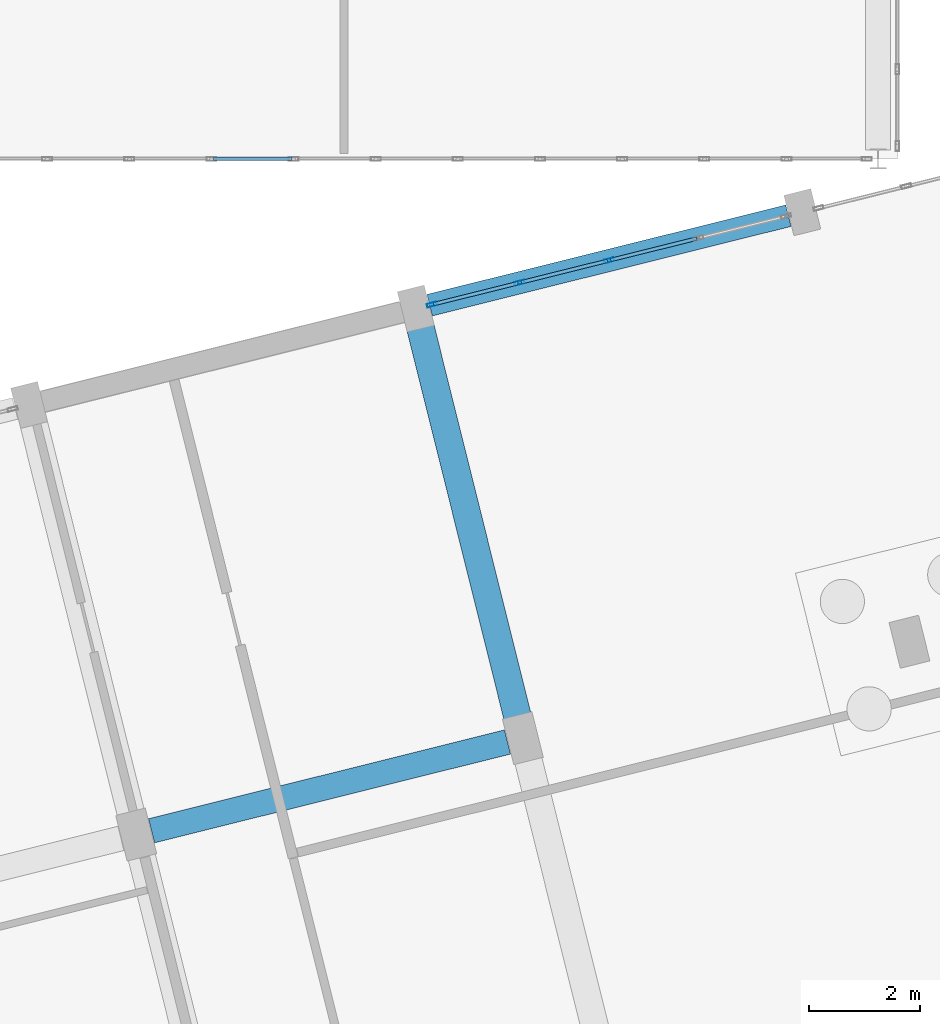
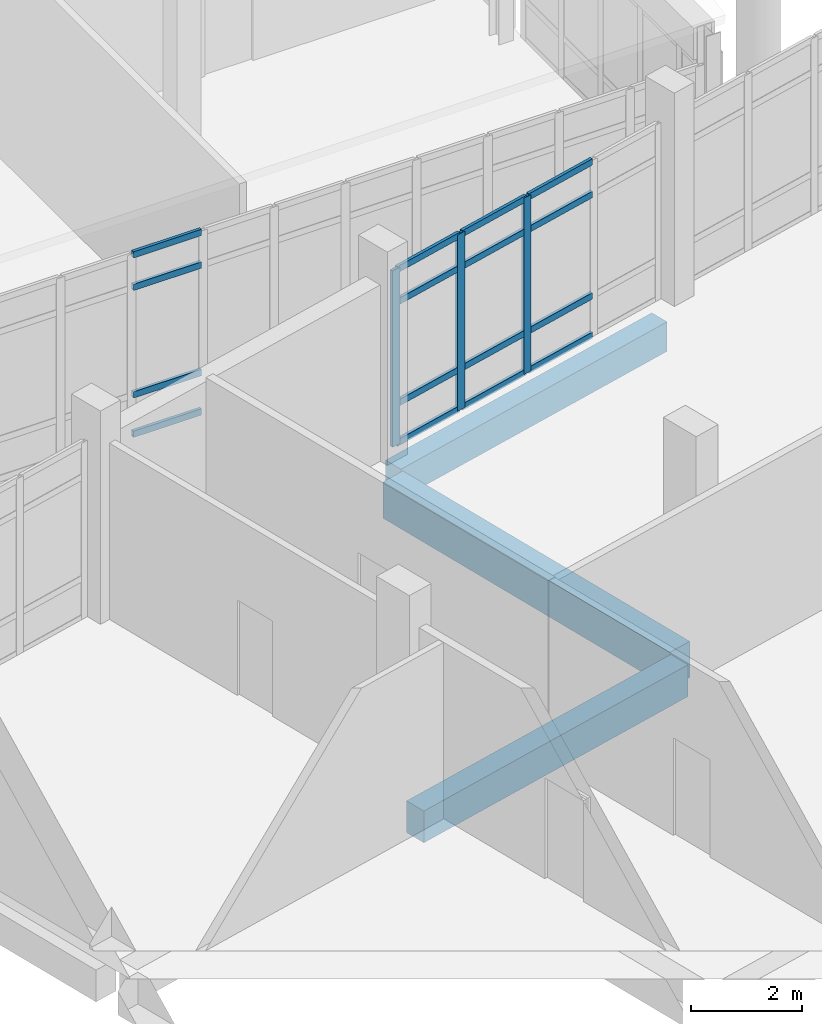
# One storey, part 98 of 173: 19 members, 3 beams, 2 elements without a shape of their own.
"""IFC4 building model written with IfcOpenShell, lengths in metres."""

from ifc_helpers import new_model, si_unit, direction, frame, origin, origin_2d, place, context, subcontext, project, spatial, rectangle, hollow_rectangle, extrude, material, layer, layer_set, material_profile, profile_set, type_object, element, aggregate, save


model = new_model("IFC4")

# Units and contexts
model_context = context("Model", 3, precision=1e-05, world=origin(), true_north=direction((0.0, 1.0)))
body_context = subcontext(model_context, "Body", "Model", "MODEL_VIEW")
ifc_project = project(units=[si_unit("LENGTHUNIT", "METRE"), si_unit("AREAUNIT", "SQUARE_METRE"), si_unit("VOLUMEUNIT", "CUBIC_METRE"), si_unit("PLANEANGLEUNIT", "RADIAN"), si_unit("MASSUNIT", "GRAM", prefix="KILO")], contexts=[model_context])

# Site, building, storey
site_placement = place(None, origin())
site = spatial("IfcSite", under=ifc_project, at=site_placement, CompositionType="ELEMENT")
building_placement = place(site_placement, origin())
building = spatial("IfcBuilding", under=site, at=building_placement, Name="Mawjan Specialist Oncology Clinic", CompositionType="ELEMENT")
storey_placement = place(building_placement, origin())
storey = spatial("IfcBuildingStorey", under=building, at=storey_placement, Name="L00", CompositionType="ELEMENT", Elevation=0.0)

# Beams
ifc_material_1 = material(Name="Concrete C40/50", Category="concrete")
ifc_material_profile_1 = material_profile(ifc_material_1, rectangle(XDim=0.449951171875, YDim=0.699951171875, at=origin_2d()), Name="RC BM 450x700", Category="concrete")
ifc_profile_set_1 = profile_set([ifc_material_profile_1], Name="Concrete C40/50")
beam_type_1 = type_object("IfcBeamType", Name="BM-450x700", PredefinedType="BEAM", material=ifc_profile_set_1)
beam_1_placement = place(storey_placement, frame((125.521240234375, 33.66015625, -0.77001953125), z_axis=(0.970293935913, 0.241929076241, 0.0), x_axis=(-0.241929076241, 0.970293935913, 0.0)))
element("IfcBeam", 1, at=beam_1_placement, inside=storey, type_object=beam_type_1, Name="L00 Collector Beam BM-L00-0212", PredefinedType="BEAM", context=body_context, shape_type="SweptSolid", body=[
    extrude(rectangle(XDim=0.449951171875, YDim=0.699951171875, at=origin_2d()), origin(), (0.0, 0.0, 1.0), 6.630126953125),
])
ifc_material_2 = material(Name="Concrete C45/55", Category="concrete")
ifc_material_profile_2 = material_profile(ifc_material_2, rectangle(XDim=0.5, YDim=0.800048828125, at=origin_2d()), Name="RC BM 500x800", Category="concrete")
ifc_profile_set_2 = profile_set([ifc_material_profile_2], Name="Concrete C45/55")
beam_type_2 = type_object("IfcBeamType", Name="BM-500x800", PredefinedType="BEAM", material=ifc_profile_set_2)
beam_2_placement = place(storey_placement, frame((132.161865234375, 35.609619140625, -0.820068359375), z_axis=(-0.241911431445, 0.970298335223, 0.0), x_axis=(-0.970298335223, -0.241911431445, 0.0)))
element("IfcBeam", 2, at=beam_2_placement, inside=storey, type_object=beam_type_2, Name="L00 Collector Beam BM-L00-0224", PredefinedType="BEAM", context=body_context, shape_type="SweptSolid", body=[
    extrude(rectangle(XDim=0.5, YDim=0.800048828125, at=origin_2d()), origin(), (0.0, 0.0, 1.0), 7.455078125),
])

# Curtain wall, members
ifc_material_3 = material(Name="Unitised spectrally selective aluminium curtain wall", Category="aluminium")
ifc_layer_1 = layer(ifc_material_3, 0.179931640625, Name="Unitised spectrally selective aluminium curtain wall", Category="aluminium")
ifc_layer_set_1 = layer_set([ifc_layer_1], Name="Unitised spectrally selective aluminium curtain wall")
curtain_wall_type_1 = type_object("IfcCurtainWallType", Name="CW-40", PredefinedType="NOTDEFINED", material=ifc_layer_set_1)
curtain_wall_1_placement = place(storey_placement, origin())
curtain_wall_1 = element("IfcCurtainWall", 3, at=curtain_wall_1_placement, inside=storey, type_object=curtain_wall_type_1, Name="L00 Unitised Curtain Wall CW-L00-082", PredefinedType="NOTDEFINED")
ifc_material_4 = material(Name="Thermally broken aluminium 6063-T6", Category="aluminium")
ifc_material_profile_3 = material_profile(ifc_material_4, hollow_rectangle(XDim=0.06494140625, YDim=0.179931640625, WallThickness=0.00390625, at=origin_2d()), Name="ALU MULLION 180x65x4", Category="aluminium")
ifc_profile_set_3 = profile_set([ifc_material_profile_3], Name="Thermally broken aluminium 6063-T6")
member_type_1 = type_object("IfcMemberType", Name="CW-M180", PredefinedType="MULLION", material=ifc_profile_set_3)
member_1_placement = place(storey_placement, frame((130.5888671875, 43.168701171875, 0.0), z_axis=(0.0, 0.0, 1.0), x_axis=(-0.241922045422, 0.970295688921, 0.0)))
member_1 = element("IfcMember", 4, at=member_1_placement, type_object=member_type_1, Name="CW-40 mullion 1", PredefinedType="MULLION", context=body_context, shape_type="SweptSolid", body=[
    extrude(hollow_rectangle(XDim=0.06494140625, YDim=0.179931640625, WallThickness=0.00390625, at=origin_2d()), origin(), (0.0, 0.0, 1.0), 3.885009765625),
])
member_2_placement = place(storey_placement, frame((132.1728515625, 43.563720703125, 0.0), z_axis=(0.0, 0.0, 1.0), x_axis=(-0.241922045422, 0.970295688921, 0.0)))
member_2 = element("IfcMember", 5, at=member_2_placement, type_object=member_type_1, Name="CW-40 mullion 2", PredefinedType="MULLION", context=body_context, shape_type="SweptSolid", body=[
    extrude(hollow_rectangle(XDim=0.06494140625, YDim=0.179931640625, WallThickness=0.00390625, at=origin_2d()), origin(), (0.0, 0.0, 1.0), 3.885009765625),
])
member_3_placement = place(storey_placement, frame((133.788330078125, 43.96630859375, 0.0), z_axis=(0.0, 0.0, 1.0), x_axis=(-0.241922045422, 0.970295688921, 0.0)))
member_3 = element("IfcMember", 6, at=member_3_placement, type_object=member_type_1, Name="CW-40 mullion 3", PredefinedType="MULLION", context=body_context, shape_type="SweptSolid", body=[
    extrude(hollow_rectangle(XDim=0.06494140625, YDim=0.179931640625, WallThickness=0.00390625, at=origin_2d()), origin(), (0.0, 0.0, 1.0), 3.885009765625),
])

ifc_material_5 = material(Name="Unitised spectrally selective aluminium curtain wall", Category="aluminium")
ifc_layer_2 = layer(ifc_material_5, 0.179931640625, Name="Unitised spectrally selective aluminium curtain wall", Category="aluminium")
ifc_layer_set_2 = layer_set([ifc_layer_2], Name="Unitised spectrally selective aluminium curtain wall")
curtain_wall_type_2 = type_object("IfcCurtainWallType", Name="CW-20", PredefinedType="NOTDEFINED", material=ifc_layer_set_2)
curtain_wall_2_placement = place(storey_placement, origin())
curtain_wall_2 = element("IfcCurtainWall", 7, at=curtain_wall_2_placement, inside=storey, type_object=curtain_wall_type_2, Name="L00 Unitised Curtain Wall CW-L00-036", PredefinedType="NOTDEFINED")
ifc_material_6 = material(Name="Thermally broken aluminium 6063-T6", Category="aluminium")
ifc_material_profile_4 = material_profile(ifc_material_6, hollow_rectangle(XDim=0.06494140625, YDim=0.139892578125, WallThickness=0.00390625, at=origin_2d()), Name="ALU TRANSOM 140x65x4", Category="aluminium")
ifc_profile_set_4 = profile_set([ifc_material_profile_4], Name="Thermally broken aluminium 6063-T6")
member_type_2 = type_object("IfcMemberType", Name="CW-T140", PredefinedType="USERDEFINED", material=ifc_profile_set_4)
member_4_placement = place(storey_placement, frame((128.05712890625, 45.800048828125, 0.032470703125), z_axis=(-1.0, 0.0, 0.0), x_axis=(0.0, -1.0, 0.0)))
member_4 = element("IfcMember", 8, at=member_4_placement, type_object=member_type_2, Name="CW-20 transom 8.1", ObjectType="TRANSOM", PredefinedType="USERDEFINED", context=body_context, shape_type="SweptSolid", body=[
    extrude(hollow_rectangle(XDim=0.06494140625, YDim=0.139892578125, WallThickness=0.00390625, at=origin_2d()), origin(), (0.0, 0.0, 1.0), 1.419189453125),
])
member_5_placement = place(storey_placement, frame((128.05712890625, 45.800048828125, 0.89990234375), z_axis=(-1.0, 0.0, 0.0), x_axis=(0.0, -1.0, 0.0)))
member_5 = element("IfcMember", 9, at=member_5_placement, type_object=member_type_2, Name="CW-20 transom 8.2", ObjectType="TRANSOM", PredefinedType="USERDEFINED", context=body_context, shape_type="SweptSolid", body=[
    extrude(hollow_rectangle(XDim=0.06494140625, YDim=0.139892578125, WallThickness=0.00390625, at=origin_2d()), origin(), (0.0, 0.0, 1.0), 1.419189453125),
])
member_6_placement = place(storey_placement, frame((128.05712890625, 45.800048828125, 3.26953125), z_axis=(-1.0, 0.0, 0.0), x_axis=(0.0, -1.0, 0.0)))
member_6 = element("IfcMember", 10, at=member_6_placement, type_object=member_type_2, Name="CW-20 transom 8.3", ObjectType="TRANSOM", PredefinedType="USERDEFINED", context=body_context, shape_type="SweptSolid", body=[
    extrude(hollow_rectangle(XDim=0.06494140625, YDim=0.139892578125, WallThickness=0.00390625, at=origin_2d()), origin(), (0.0, 0.0, 1.0), 1.419189453125),
])
member_7_placement = place(storey_placement, frame((128.05712890625, 45.800048828125, 3.987060546875), z_axis=(-1.0, 0.0, 0.0), x_axis=(0.0, -1.0, 0.0)))
member_7 = element("IfcMember", 11, at=member_7_placement, type_object=member_type_2, Name="CW-20 transom 8.4", ObjectType="TRANSOM", PredefinedType="USERDEFINED", context=body_context, shape_type="SweptSolid", body=[
    extrude(hollow_rectangle(XDim=0.06494140625, YDim=0.139892578125, WallThickness=0.00390625, at=origin_2d()), origin(), (0.0, 0.0, 1.0), 1.419189453125),
])
aggregate(curtain_wall_2, [member_4, member_5, member_6, member_7])

# Member
member_8_placement = place(storey_placement, frame((130.620361328125, 43.176513671875, 0.032470703125), z_axis=(0.970307185051, 0.241875932325, 0.0), x_axis=(-0.241875932325, 0.970307185051, 0.0)))
member_8 = element("IfcMember", 12, at=member_8_placement, type_object=member_type_2, Name="CW-40 transom 1.1", ObjectType="TRANSOM", PredefinedType="USERDEFINED", context=body_context, shape_type="SweptSolid", body=[
    extrude(hollow_rectangle(XDim=0.06494140625, YDim=0.139892578125, WallThickness=0.00390625, at=origin_2d()), origin(), (0.0, 0.0, 1.0), 1.567626953125),
])

member_9_placement = place(storey_placement, frame((130.620361328125, 43.176513671875, 0.89990234375), z_axis=(0.970307185051, 0.241875932325, 0.0), x_axis=(-0.241875932325, 0.970307185051, 0.0)))
member_9 = element("IfcMember", 13, at=member_9_placement, type_object=member_type_2, Name="CW-40 transom 1.2", ObjectType="TRANSOM", PredefinedType="USERDEFINED", context=body_context, shape_type="SweptSolid", body=[
    extrude(hollow_rectangle(XDim=0.06494140625, YDim=0.139892578125, WallThickness=0.00390625, at=origin_2d()), origin(), (0.0, 0.0, 1.0), 1.567626953125),
])

member_10_placement = place(storey_placement, frame((130.620361328125, 43.176513671875, 3.135009765625), z_axis=(0.970307185051, 0.241875932325, 0.0), x_axis=(-0.241875932325, 0.970307185051, 0.0)))
member_10 = element("IfcMember", 14, at=member_10_placement, type_object=member_type_2, Name="CW-40 transom 1.3", ObjectType="TRANSOM", PredefinedType="USERDEFINED", context=body_context, shape_type="SweptSolid", body=[
    extrude(hollow_rectangle(XDim=0.06494140625, YDim=0.139892578125, WallThickness=0.00390625, at=origin_2d()), origin(), (0.0, 0.0, 1.0), 1.567626953125),
])

member_11_placement = place(storey_placement, frame((130.620361328125, 43.176513671875, 3.8525390625), z_axis=(0.970307185051, 0.241875932325, 0.0), x_axis=(-0.241875932325, 0.970307185051, 0.0)))
member_11 = element("IfcMember", 15, at=member_11_placement, type_object=member_type_2, Name="CW-40 transom 1.4", ObjectType="TRANSOM", PredefinedType="USERDEFINED", context=body_context, shape_type="SweptSolid", body=[
    extrude(hollow_rectangle(XDim=0.06494140625, YDim=0.139892578125, WallThickness=0.00390625, at=origin_2d()), origin(), (0.0, 0.0, 1.0), 1.567626953125),
])

member_12_placement = place(storey_placement, frame((132.204345703125, 43.571533203125, 0.032470703125), z_axis=(0.970312800845, 0.241853402947, 0.0), x_axis=(-0.241853402947, 0.970312800845, 0.0)))
member_12 = element("IfcMember", 16, at=member_12_placement, type_object=member_type_2, Name="CW-40 transom 2.1", ObjectType="TRANSOM", PredefinedType="USERDEFINED", context=body_context, shape_type="SweptSolid", body=[
    extrude(hollow_rectangle(XDim=0.06494140625, YDim=0.139892578125, WallThickness=0.00390625, at=origin_2d()), origin(), (0.0, 0.0, 1.0), 1.60009765625),
])

member_13_placement = place(storey_placement, frame((132.204345703125, 43.571533203125, 0.89990234375), z_axis=(0.970312800845, 0.241853402947, 0.0), x_axis=(-0.241853402947, 0.970312800845, 0.0)))
member_13 = element("IfcMember", 17, at=member_13_placement, type_object=member_type_2, Name="CW-40 transom 2.2", ObjectType="TRANSOM", PredefinedType="USERDEFINED", context=body_context, shape_type="SweptSolid", body=[
    extrude(hollow_rectangle(XDim=0.06494140625, YDim=0.139892578125, WallThickness=0.00390625, at=origin_2d()), origin(), (0.0, 0.0, 1.0), 1.60009765625),
])

member_14_placement = place(storey_placement, frame((132.204345703125, 43.571533203125, 3.135009765625), z_axis=(0.970312800845, 0.241853402947, 0.0), x_axis=(-0.241853402947, 0.970312800845, 0.0)))
member_14 = element("IfcMember", 18, at=member_14_placement, type_object=member_type_2, Name="CW-40 transom 2.3", ObjectType="TRANSOM", PredefinedType="USERDEFINED", context=body_context, shape_type="SweptSolid", body=[
    extrude(hollow_rectangle(XDim=0.06494140625, YDim=0.139892578125, WallThickness=0.00390625, at=origin_2d()), origin(), (0.0, 0.0, 1.0), 1.60009765625),
])

member_15_placement = place(storey_placement, frame((132.204345703125, 43.571533203125, 3.8525390625), z_axis=(0.970312800845, 0.241853402947, 0.0), x_axis=(-0.241853402947, 0.970312800845, 0.0)))
member_15 = element("IfcMember", 19, at=member_15_placement, type_object=member_type_2, Name="CW-40 transom 2.4", ObjectType="TRANSOM", PredefinedType="USERDEFINED", context=body_context, shape_type="SweptSolid", body=[
    extrude(hollow_rectangle(XDim=0.06494140625, YDim=0.139892578125, WallThickness=0.00390625, at=origin_2d()), origin(), (0.0, 0.0, 1.0), 1.60009765625),
])

member_16_placement = place(storey_placement, frame((133.820068359375, 43.974365234375, 0.032470703125), z_axis=(0.970312800845, 0.241853402947, 0.0), x_axis=(-0.241853402947, 0.970312800845, 0.0)))
member_16 = element("IfcMember", 20, at=member_16_placement, type_object=member_type_2, Name="CW-40 transom 3.1", ObjectType="TRANSOM", PredefinedType="USERDEFINED", context=body_context, shape_type="SweptSolid", body=[
    extrude(hollow_rectangle(XDim=0.06494140625, YDim=0.139892578125, WallThickness=0.00390625, at=origin_2d()), origin(), (0.0, 0.0, 1.0), 1.60009765625),
])

member_17_placement = place(storey_placement, frame((133.820068359375, 43.974365234375, 0.89990234375), z_axis=(0.970312800845, 0.241853402947, 0.0), x_axis=(-0.241853402947, 0.970312800845, 0.0)))
member_17 = element("IfcMember", 21, at=member_17_placement, type_object=member_type_2, Name="CW-40 transom 3.2", ObjectType="TRANSOM", PredefinedType="USERDEFINED", context=body_context, shape_type="SweptSolid", body=[
    extrude(hollow_rectangle(XDim=0.06494140625, YDim=0.139892578125, WallThickness=0.00390625, at=origin_2d()), origin(), (0.0, 0.0, 1.0), 1.60009765625),
])

member_18_placement = place(storey_placement, frame((133.820068359375, 43.974365234375, 3.135009765625), z_axis=(0.970312800845, 0.241853402947, 0.0), x_axis=(-0.241853402947, 0.970312800845, 0.0)))
member_18 = element("IfcMember", 22, at=member_18_placement, type_object=member_type_2, Name="CW-40 transom 3.3", ObjectType="TRANSOM", PredefinedType="USERDEFINED", context=body_context, shape_type="SweptSolid", body=[
    extrude(hollow_rectangle(XDim=0.06494140625, YDim=0.139892578125, WallThickness=0.00390625, at=origin_2d()), origin(), (0.0, 0.0, 1.0), 1.60009765625),
])

member_19_placement = place(storey_placement, frame((133.820068359375, 43.974365234375, 3.8525390625), z_axis=(0.970312800845, 0.241853402947, 0.0), x_axis=(-0.241853402947, 0.970312800845, 0.0)))
member_19 = element("IfcMember", 23, at=member_19_placement, type_object=member_type_2, Name="CW-40 transom 3.4", ObjectType="TRANSOM", PredefinedType="USERDEFINED", context=body_context, shape_type="SweptSolid", body=[
    extrude(hollow_rectangle(XDim=0.06494140625, YDim=0.139892578125, WallThickness=0.00390625, at=origin_2d()), origin(), (0.0, 0.0, 1.0), 1.60009765625),
])

aggregate(curtain_wall_1, [member_1, member_2, member_3, member_8, member_9, member_10, member_11, member_12, member_13, member_14, member_15, member_16, member_17, member_18, member_19])

# Beam
ifc_material_7 = material(Name="Concrete C45/55", Category="concrete")
ifc_material_profile_5 = material_profile(ifc_material_7, rectangle(XDim=0.39990234375, YDim=0.64990234375, at=origin_2d()), Name="RC BM 400x650", Category="concrete")
ifc_profile_set_5 = profile_set([ifc_material_profile_5], Name="Concrete C45/55")
beam_type_3 = type_object("IfcBeamType", Name="SP-400x650", PredefinedType="SPANDREL", material=ifc_profile_set_5)
beam_3_placement = place(storey_placement, frame((130.547607421875, 43.158447265625, -0.7451171875), z_axis=(0.970299236251, 0.241907817422, 0.0), x_axis=(-0.241907817422, 0.970299236251, 0.0)))
element("IfcBeam", 24, at=beam_3_placement, inside=storey, type_object=beam_type_3, Name="L00 Spandrel Beam BM-L00-0215", PredefinedType="SPANDREL", context=body_context, shape_type="SweptSolid", body=[
    extrude(rectangle(XDim=0.39990234375, YDim=0.64990234375, at=origin_2d()), origin(), (0.0, 0.0, 1.0), 6.68017578125),
])

save(model, "model.ifc")
